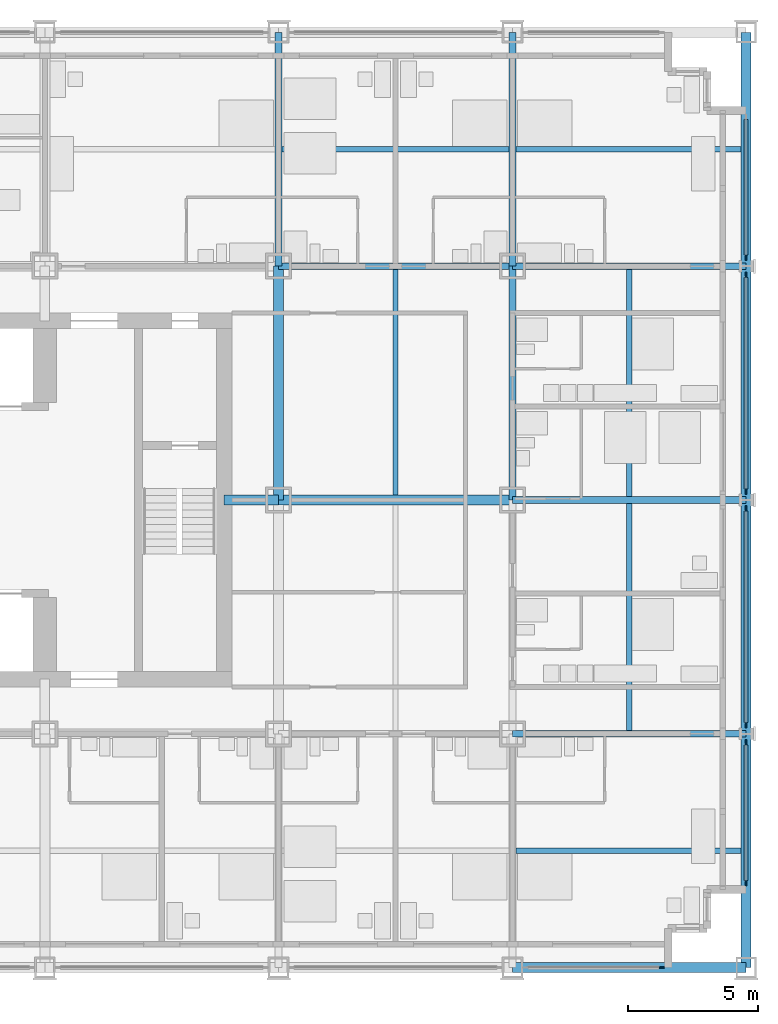
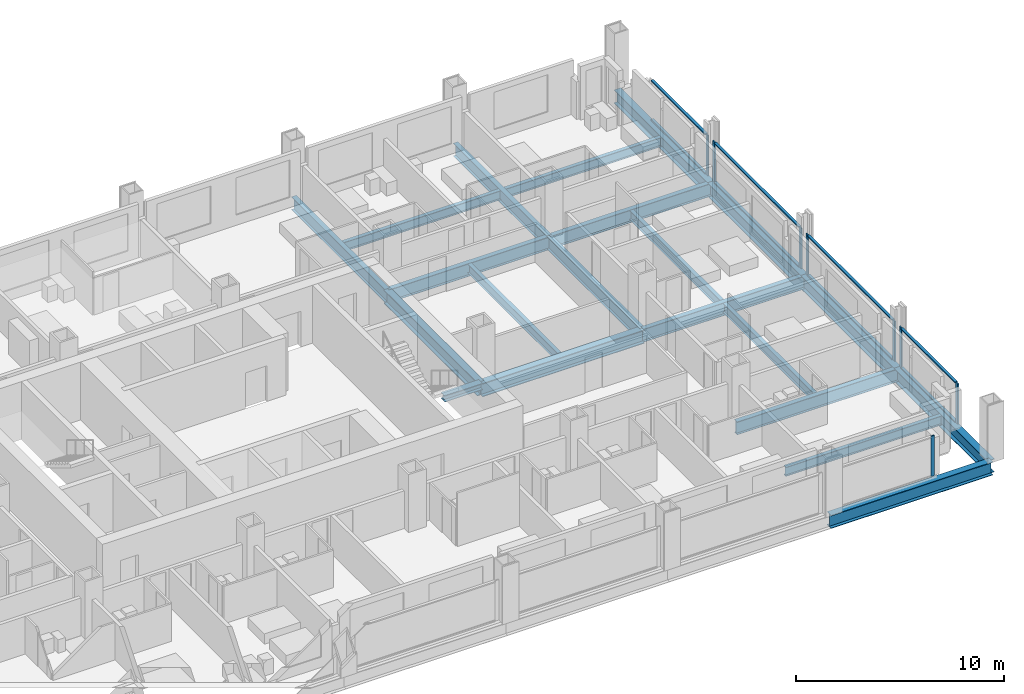
# One storey, part 6 of 19: 20 beams, 17 members, 5 elements without a shape of their own.
"""IFC4 building model written with IfcOpenShell, lengths in metres."""

from ifc_helpers import new_model, si_unit, direction, frame, origin, origin_2d, place, context, subcontext, project, spatial, rectangle, i_section, extrude, material, material_profile, profile_set, type_object, element, aggregate, save


model = new_model("IFC4")

# Units and contexts
model_context = context("Model", 3, precision=1e-05, world=origin(), true_north=direction((0.0, 1.0)))
body_context = subcontext(model_context, "Body", "Model", "MODEL_VIEW")
ifc_project = project(units=[si_unit("LENGTHUNIT", "METRE"), si_unit("AREAUNIT", "SQUARE_METRE"), si_unit("VOLUMEUNIT", "CUBIC_METRE"), si_unit("PLANEANGLEUNIT", "RADIAN"), si_unit("MASSUNIT", "GRAM", prefix="KILO")], contexts=[model_context])

# Site, building, storey
site_placement = place(None, origin())
site = spatial("IfcSite", under=ifc_project, at=site_placement, CompositionType="ELEMENT")
building_placement = place(site_placement, origin())
building = spatial("IfcBuilding", under=site, at=building_placement, Name="Loomwork Tower", CompositionType="ELEMENT")
storey_placement = place(building_placement, frame((0.0, 0.0, 85.800048828125)))
storey = spatial("IfcBuildingStorey", under=building, at=storey_placement, Name="L22", CompositionType="ELEMENT", Elevation=85.800048828125)

# Beams
ifc_material_1 = material(Name="Steel ASTM A992", Category="steel")
ifc_material_profile_1 = material_profile(ifc_material_1, i_section(OverallWidth=0.383544921875, OverallDepth=0.794921875, WebThickness=0.02099609375, FlangeThickness=0.0380859375, at=origin_2d()), Name="W30x235")
ifc_profile_set_1 = profile_set([ifc_material_profile_1], Name="Steel ASTM A992")
beam_type_1 = type_object("IfcBeamType", Name="CORE FLANK GIRDER W30x235", PredefinedType="BEAM", material=ifc_profile_set_1)
for number, where, z_axis, x_axis, name in (
    (1, (36.0, 18.0, -0.59765625), (1.0, 0.0, 0.0), (0.0, 1.0, 0.0), "Core Flank Girder F/6-F/7 L22"),
    (2, (36.0, 18.0, -0.59765625), (0.0, 1.0, 0.0), (-1.0, 0.0, 0.0), "Core Flank Girder F/6-G/6 L22"),
):
    element("IfcBeam", number, at=place(storey_placement, frame(where, z_axis=z_axis, x_axis=x_axis)), inside=storey, type_object=beam_type_1, Name=name, PredefinedType="BEAM", context=body_context, shape_type="SweptSolid", body=[
        extrude(i_section(OverallWidth=0.383544921875, OverallDepth=0.794921875, WebThickness=0.02099609375, FlangeThickness=0.0380859375, at=origin_2d()), origin(), (0.0, 0.0, 1.0), 9.0),
    ])

# Member
ifc_material_2 = material(Name="Steel ASTM A992", Category="steel")
ifc_material_profile_2 = material_profile(ifc_material_2, i_section(OverallWidth=0.373291015625, OverallDepth=0.373291015625, WebThickness=0.016357421875, FlangeThickness=0.026123046875, at=origin_2d()), Name="W14x132")
ifc_profile_set_2 = profile_set([ifc_material_profile_2], Name="Steel ASTM A992")
member_type_1 = type_object("IfcMemberType", Name="CORE LINK STRUT W14x132", PredefinedType="STRUT", material=ifc_profile_set_2)
member_1_placement = place(storey_placement, frame((36.0, 18.0, -0.38671875), z_axis=(-1.0, 0.0, 0.0), x_axis=(0.0, -1.0, 0.0)))
element("IfcMember", 3, at=member_1_placement, inside=storey, type_object=member_type_1, Name="Core link strut F/6-33.900,18.000 L22", PredefinedType="STRUT", context=body_context, shape_type="SweptSolid", body=[
    extrude(i_section(OverallWidth=0.373291015625, OverallDepth=0.373291015625, WebThickness=0.016357421875, FlangeThickness=0.026123046875, at=origin_2d()), origin(), (0.0, 0.0, 1.0), 2.10009765625),
])

# Beams
ifc_material_3 = material(Name="Steel ASTM A992", Category="steel")
ifc_material_profile_3 = material_profile(ifc_material_3, i_section(OverallWidth=0.2666015625, OverallDepth=0.761962890625, WebThickness=0.014404296875, FlangeThickness=0.021484375, at=origin_2d()), Name="W30x116")
ifc_profile_set_3 = profile_set([ifc_material_profile_3], Name="Steel ASTM A992")
beam_type_2 = type_object("IfcBeamType", Name="FLOOR GIRDER W30x116", PredefinedType="BEAM", material=ifc_profile_set_3)
for number, where, z_axis, x_axis, name in (
    (4, (45.0, 9.0, -0.5810546875), (1.0, 0.0, 0.0), (0.0, 1.0, 0.0), "Floor Girder E/7-E/8 L22"),
    (5, (45.0, 18.0, -0.5810546875), (1.0, 0.0, 0.0), (0.0, 1.0, 0.0), "Floor Girder F/7-F/8 L22"),
    (6, (36.0, 27.0, -0.5810546875), (1.0, 0.0, 0.0), (0.0, 1.0, 0.0), "Floor Girder G/6-G/7 L22"),
    (7, (45.0, 27.0, -0.5810546875), (1.0, 0.0, 0.0), (0.0, 1.0, 0.0), "Floor Girder G/7-G/8 L22"),
    (8, (36.0, 27.0, -0.5810546875), (0.0, 1.0, 0.0), (-1.0, 0.0, 0.0), "Floor Girder G/6-H/6 L22"),
    (9, (45.0, 18.0, -0.5810546875), (0.0, 1.0, 0.0), (-1.0, 0.0, 0.0), "Floor Girder F/7-G/7 L22"),
    (10, (45.0, 27.0, -0.5810546875), (0.0, 1.0, 0.0), (-1.0, 0.0, 0.0), "Floor Girder G/7-H/7 L22"),
):
    element("IfcBeam", number, at=place(storey_placement, frame(where, z_axis=z_axis, x_axis=x_axis)), inside=storey, type_object=beam_type_2, Name=name, PredefinedType="BEAM", context=body_context, shape_type="SweptSolid", body=[
        extrude(i_section(OverallWidth=0.2666015625, OverallDepth=0.761962890625, WebThickness=0.014404296875, FlangeThickness=0.021484375, at=origin_2d()), origin(), (0.0, 0.0, 1.0), 9.0),
    ])
ifc_material_4 = material(Name="Steel ASTM A992", Category="steel")
ifc_material_profile_4 = material_profile(ifc_material_4, i_section(OverallWidth=0.2109375, OverallDepth=0.53857421875, WebThickness=0.011474609375, FlangeThickness=0.018798828125, at=origin_2d()), Name="W21x73")
ifc_profile_set_4 = profile_set([ifc_material_profile_4], Name="Steel ASTM A992")
beam_type_3 = type_object("IfcBeamType", Name="FLOOR JOIST W21x73", PredefinedType="JOIST", material=ifc_profile_set_4)
beam_1_placement = place(storey_placement, frame((40.5, 18.19091796875, -0.46923828125), z_axis=(0.0, 1.0, 0.0), x_axis=(-1.0, 0.0, 0.0)))
element("IfcBeam", 11, at=beam_1_placement, inside=storey, type_object=beam_type_3, Name="Floor Joist 40.500,18.000-40.500,27.000 L22", PredefinedType="JOIST", context=body_context, shape_type="SweptSolid", body=[
    extrude(i_section(OverallWidth=0.2109375, OverallDepth=0.53857421875, WebThickness=0.011474609375, FlangeThickness=0.018798828125, at=origin_2d()), origin(), (0.0, 0.0, 1.0), 8.676025390625),
])
beam_2_placement = place(storey_placement, frame((36.133056640625, 31.5, -0.46923828125), z_axis=(1.0, 0.0, 0.0), x_axis=(0.0, 1.0, 0.0)))
element("IfcBeam", 12, at=beam_2_placement, inside=storey, type_object=beam_type_3, Name="Floor Joist 36.000,31.500-45.000,31.500 L22", PredefinedType="JOIST", context=body_context, shape_type="SweptSolid", body=[
    extrude(i_section(OverallWidth=0.2109375, OverallDepth=0.53857421875, WebThickness=0.011474609375, FlangeThickness=0.018798828125, at=origin_2d()), origin(), (0.0, 0.0, 1.0), 8.73388671875),
])
beam_3_placement = place(storey_placement, frame((45.133056640625, 4.5, -0.46923828125), z_axis=(1.0, 0.0, 0.0), x_axis=(0.0, 1.0, 0.0)))
element("IfcBeam", 13, at=beam_3_placement, inside=storey, type_object=beam_type_3, Name="Floor Joist 45.000,4.500-54.000,4.500 L22", PredefinedType="JOIST", context=body_context, shape_type="SweptSolid", body=[
    extrude(i_section(OverallWidth=0.2109375, OverallDepth=0.53857421875, WebThickness=0.011474609375, FlangeThickness=0.018798828125, at=origin_2d()), origin(), (0.0, 0.0, 1.0), 8.677001953125),
])
for number, where, z_axis, x_axis, name in (
    (14, (49.5, 9.133056640625, -0.46923828125), (0.0, 1.0, 0.0), (-1.0, 0.0, 0.0), "Floor Joist 49.500,9.000-49.500,18.000 L22"),
    (15, (49.5, 18.133056640625, -0.46923828125), (0.0, 1.0, 0.0), (-1.0, 0.0, 0.0), "Floor Joist 49.500,18.000-49.500,27.000 L22"),
):
    element("IfcBeam", number, at=place(storey_placement, frame(where, z_axis=z_axis, x_axis=x_axis)), inside=storey, type_object=beam_type_3, Name=name, PredefinedType="JOIST", context=body_context, shape_type="SweptSolid", body=[
        extrude(i_section(OverallWidth=0.2109375, OverallDepth=0.53857421875, WebThickness=0.011474609375, FlangeThickness=0.018798828125, at=origin_2d()), origin(), (0.0, 0.0, 1.0), 8.73388671875),
    ])
beam_4_placement = place(storey_placement, frame((45.133056640625, 31.5, -0.46923828125), z_axis=(1.0, 0.0, 0.0), x_axis=(0.0, 1.0, 0.0)))
element("IfcBeam", 16, at=beam_4_placement, inside=storey, type_object=beam_type_3, Name="Floor Joist 45.000,31.500-54.000,31.500 L22", PredefinedType="JOIST", context=body_context, shape_type="SweptSolid", body=[
    extrude(i_section(OverallWidth=0.2109375, OverallDepth=0.53857421875, WebThickness=0.011474609375, FlangeThickness=0.018798828125, at=origin_2d()), origin(), (0.0, 0.0, 1.0), 8.677001953125),
])

# Curtain wall, member
ifc_material_5 = material(Name="Aluminium curtain wall frame", Category="aluminium")
curtain_wall_type = type_object("IfcCurtainWallType", Name="Outer skin glazing hotel", PredefinedType="NOTDEFINED", material=ifc_material_5)
curtain_wall_1_placement = place(storey_placement, origin())
curtain_wall_1 = element("IfcCurtainWall", 17, at=curtain_wall_1_placement, inside=storey, type_object=curtain_wall_type, Name="Outer skin glazing hotel cw/S-45", PredefinedType="NOTDEFINED")
ifc_material_6 = material(Name="Aluminium curtain wall frame", Category="aluminium")
ifc_material_profile_5 = material_profile(ifc_material_6, rectangle(XDim=0.06494140625, YDim=0.199951171875, at=origin_2d()), Name="AL 65x200")
ifc_profile_set_5 = profile_set([ifc_material_profile_5], Name="Aluminium curtain wall frame")
member_type_2 = type_object("IfcMemberType", Name="Outer skin glazing hotel mullion", PredefinedType="MULLION", material=ifc_profile_set_5)
member_2_placement = place(storey_placement, frame((50.75, 0.0, 0.0), z_axis=(0.0, 0.0, 1.0), x_axis=(0.0, 1.0, 0.0)))
member_2 = element("IfcMember", 18, at=member_2_placement, type_object=member_type_2, Name="CW1 mullion 2", PredefinedType="MULLION", context=body_context, shape_type="SweptSolid", body=[
    extrude(rectangle(XDim=0.06494140625, YDim=0.199951171875, at=origin_2d()), origin(), (0.0, 0.0, 1.0), 2.3701171875),
])
aggregate(curtain_wall_1, [member_2])

# Curtain wall, members
curtain_wall_2_placement = place(storey_placement, origin())
curtain_wall_2 = element("IfcCurtainWall", 19, at=curtain_wall_2_placement, inside=storey, type_object=curtain_wall_type, Name="Outer skin glazing hotel cw/E-0", PredefinedType="NOTDEFINED")
member_3_placement = place(storey_placement, frame((54.0, 3.25, 0.0), z_axis=(0.0, 0.0, 1.0), x_axis=(-1.0, 0.0, 0.0)))
member_3 = element("IfcMember", 20, at=member_3_placement, type_object=member_type_2, Name="CW1 mullion 1", PredefinedType="MULLION", context=body_context, shape_type="SweptSolid", body=[
    extrude(rectangle(XDim=0.06494140625, YDim=0.199951171875, at=origin_2d()), origin(), (0.0, 0.0, 1.0), 2.3701171875),
])
member_4_placement = place(storey_placement, frame((54.0, 8.672607421875, 0.0), z_axis=(0.0, 0.0, 1.0), x_axis=(-1.0, 0.0, 0.0)))
member_4 = element("IfcMember", 21, at=member_4_placement, type_object=member_type_2, Name="CW1 mullion 2", PredefinedType="MULLION", context=body_context, shape_type="SweptSolid", body=[
    extrude(rectangle(XDim=0.06494140625, YDim=0.199951171875, at=origin_2d()), origin(), (0.0, 0.0, 1.0), 2.3701171875),
])

curtain_wall_3_placement = place(storey_placement, origin())
curtain_wall_3 = element("IfcCurtainWall", 22, at=curtain_wall_3_placement, inside=storey, type_object=curtain_wall_type, Name="Outer skin glazing hotel cw/E-9", PredefinedType="NOTDEFINED")
member_5_placement = place(storey_placement, frame((54.0, 9.327392578125, 0.0), z_axis=(0.0, 0.0, 1.0), x_axis=(-1.0, 0.0, 0.0)))
member_5 = element("IfcMember", 23, at=member_5_placement, type_object=member_type_2, Name="CW1 mullion 1", PredefinedType="MULLION", context=body_context, shape_type="SweptSolid", body=[
    extrude(rectangle(XDim=0.06494140625, YDim=0.199951171875, at=origin_2d()), origin(), (0.0, 0.0, 1.0), 2.3701171875),
])
member_6_placement = place(storey_placement, frame((54.0, 17.672607421875, 0.0), z_axis=(0.0, 0.0, 1.0), x_axis=(-1.0, 0.0, 0.0)))
member_6 = element("IfcMember", 24, at=member_6_placement, type_object=member_type_2, Name="CW1 mullion 2", PredefinedType="MULLION", context=body_context, shape_type="SweptSolid", body=[
    extrude(rectangle(XDim=0.06494140625, YDim=0.199951171875, at=origin_2d()), origin(), (0.0, 0.0, 1.0), 2.3701171875),
])

curtain_wall_4_placement = place(storey_placement, origin())
curtain_wall_4 = element("IfcCurtainWall", 25, at=curtain_wall_4_placement, inside=storey, type_object=curtain_wall_type, Name="Outer skin glazing hotel cw/E-18", PredefinedType="NOTDEFINED")
member_7_placement = place(storey_placement, frame((54.0, 18.327392578125, 0.0), z_axis=(0.0, 0.0, 1.0), x_axis=(-1.0, 0.0, 0.0)))
member_7 = element("IfcMember", 26, at=member_7_placement, type_object=member_type_2, Name="CW1 mullion 1", PredefinedType="MULLION", context=body_context, shape_type="SweptSolid", body=[
    extrude(rectangle(XDim=0.06494140625, YDim=0.199951171875, at=origin_2d()), origin(), (0.0, 0.0, 1.0), 2.3701171875),
])
member_8_placement = place(storey_placement, frame((54.0, 26.672607421875, 0.0), z_axis=(0.0, 0.0, 1.0), x_axis=(-1.0, 0.0, 0.0)))
member_8 = element("IfcMember", 27, at=member_8_placement, type_object=member_type_2, Name="CW1 mullion 2", PredefinedType="MULLION", context=body_context, shape_type="SweptSolid", body=[
    extrude(rectangle(XDim=0.06494140625, YDim=0.199951171875, at=origin_2d()), origin(), (0.0, 0.0, 1.0), 2.3701171875),
])

# Curtain wall, member
curtain_wall_5_placement = place(storey_placement, origin())
curtain_wall_5 = element("IfcCurtainWall", 28, at=curtain_wall_5_placement, inside=storey, type_object=curtain_wall_type, Name="Outer skin glazing hotel cw/E-27", PredefinedType="NOTDEFINED")
member_9_placement = place(storey_placement, frame((54.0, 27.327392578125, 0.0), z_axis=(0.0, 0.0, 1.0), x_axis=(-1.0, 0.0, 0.0)))
member_9 = element("IfcMember", 29, at=member_9_placement, type_object=member_type_2, Name="CW1 mullion 1", PredefinedType="MULLION", context=body_context, shape_type="SweptSolid", body=[
    extrude(rectangle(XDim=0.06494140625, YDim=0.199951171875, at=origin_2d()), origin(), (0.0, 0.0, 1.0), 2.3701171875),
])

# Member
ifc_material_7 = material(Name="Aluminium curtain wall frame", Category="aluminium")
ifc_material_profile_6 = material_profile(ifc_material_7, rectangle(XDim=0.14990234375, YDim=0.06494140625, at=origin_2d()), Name="AL 65x150")
ifc_profile_set_6 = profile_set([ifc_material_profile_6], Name="Aluminium curtain wall frame")
member_type_3 = type_object("IfcMemberType", Name="Outer skin glazing hotel transom", PredefinedType="USERDEFINED", material=ifc_profile_set_6)
member_10_placement = place(storey_placement, frame((54.0, 3.35009765625, 0.032470703125), z_axis=(0.0, 1.0, 0.0), x_axis=(-1.0, 0.0, 0.0)))
member_10 = element("IfcMember", 30, at=member_10_placement, type_object=member_type_3, Name="CW1 transom 1.1", ObjectType="TRANSOM", PredefinedType="USERDEFINED", context=body_context, shape_type="SweptSolid", body=[
    extrude(rectangle(XDim=0.14990234375, YDim=0.06494140625, at=origin_2d()), origin(), (0.0, 0.0, 1.0), 5.22265625),
])

member_11_placement = place(storey_placement, frame((54.0, 3.35009765625, 2.337646484375), z_axis=(0.0, 1.0, 0.0), x_axis=(-1.0, 0.0, 0.0)))
member_11 = element("IfcMember", 31, at=member_11_placement, type_object=member_type_3, Name="CW1 transom 1.2", ObjectType="TRANSOM", PredefinedType="USERDEFINED", context=body_context, shape_type="SweptSolid", body=[
    extrude(rectangle(XDim=0.14990234375, YDim=0.06494140625, at=origin_2d()), origin(), (0.0, 0.0, 1.0), 5.22265625),
])

aggregate(curtain_wall_2, [member_3, member_4, member_10, member_11])

member_12_placement = place(storey_placement, frame((54.0, 9.42724609375, 0.032470703125), z_axis=(0.0, 1.0, 0.0), x_axis=(-1.0, 0.0, 0.0)))
member_12 = element("IfcMember", 32, at=member_12_placement, type_object=member_type_3, Name="CW1 transom 1.1", ObjectType="TRANSOM", PredefinedType="USERDEFINED", context=body_context, shape_type="SweptSolid", body=[
    extrude(rectangle(XDim=0.14990234375, YDim=0.06494140625, at=origin_2d()), origin(), (0.0, 0.0, 1.0), 8.1455078125),
])

member_13_placement = place(storey_placement, frame((54.0, 9.42724609375, 2.337646484375), z_axis=(0.0, 1.0, 0.0), x_axis=(-1.0, 0.0, 0.0)))
member_13 = element("IfcMember", 33, at=member_13_placement, type_object=member_type_3, Name="CW1 transom 1.2", ObjectType="TRANSOM", PredefinedType="USERDEFINED", context=body_context, shape_type="SweptSolid", body=[
    extrude(rectangle(XDim=0.14990234375, YDim=0.06494140625, at=origin_2d()), origin(), (0.0, 0.0, 1.0), 8.1455078125),
])

aggregate(curtain_wall_3, [member_5, member_6, member_12, member_13])

member_14_placement = place(storey_placement, frame((54.0, 18.42724609375, 0.032470703125), z_axis=(0.0, 1.0, 0.0), x_axis=(-1.0, 0.0, 0.0)))
member_14 = element("IfcMember", 34, at=member_14_placement, type_object=member_type_3, Name="CW1 transom 1.1", ObjectType="TRANSOM", PredefinedType="USERDEFINED", context=body_context, shape_type="SweptSolid", body=[
    extrude(rectangle(XDim=0.14990234375, YDim=0.06494140625, at=origin_2d()), origin(), (0.0, 0.0, 1.0), 8.1455078125),
])

member_15_placement = place(storey_placement, frame((54.0, 18.42724609375, 2.337646484375), z_axis=(0.0, 1.0, 0.0), x_axis=(-1.0, 0.0, 0.0)))
member_15 = element("IfcMember", 35, at=member_15_placement, type_object=member_type_3, Name="CW1 transom 1.2", ObjectType="TRANSOM", PredefinedType="USERDEFINED", context=body_context, shape_type="SweptSolid", body=[
    extrude(rectangle(XDim=0.14990234375, YDim=0.06494140625, at=origin_2d()), origin(), (0.0, 0.0, 1.0), 8.1455078125),
])

aggregate(curtain_wall_4, [member_7, member_8, member_14, member_15])

member_16_placement = place(storey_placement, frame((54.0, 27.42724609375, 0.032470703125), z_axis=(0.0, 1.0, 0.0), x_axis=(-1.0, 0.0, 0.0)))
member_16 = element("IfcMember", 36, at=member_16_placement, type_object=member_type_3, Name="CW1 transom 1.1", ObjectType="TRANSOM", PredefinedType="USERDEFINED", context=body_context, shape_type="SweptSolid", body=[
    extrude(rectangle(XDim=0.14990234375, YDim=0.06494140625, at=origin_2d()), origin(), (0.0, 0.0, 1.0), 5.22265625),
])

member_17_placement = place(storey_placement, frame((54.0, 27.42724609375, 2.337646484375), z_axis=(0.0, 1.0, 0.0), x_axis=(-1.0, 0.0, 0.0)))
member_17 = element("IfcMember", 37, at=member_17_placement, type_object=member_type_3, Name="CW1 transom 1.2", ObjectType="TRANSOM", PredefinedType="USERDEFINED", context=body_context, shape_type="SweptSolid", body=[
    extrude(rectangle(XDim=0.14990234375, YDim=0.06494140625, at=origin_2d()), origin(), (0.0, 0.0, 1.0), 5.22265625),
])

aggregate(curtain_wall_5, [member_9, member_16, member_17])

# Beams
ifc_material_8 = material(Name="Steel ASTM A992", Category="steel")
ifc_material_profile_7 = material_profile(ifc_material_8, i_section(OverallWidth=0.381103515625, OverallDepth=0.77978515625, WebThickness=0.01806640625, FlangeThickness=0.0302734375, at=origin_2d()), Name="W30x191")
ifc_profile_set_7 = profile_set([ifc_material_profile_7], Name="Steel ASTM A992")
beam_type_4 = type_object("IfcBeamType", Name="SPANDREL GIRDER W30x191", PredefinedType="SPANDREL", material=ifc_profile_set_7)
for number, where, z_axis, x_axis, name in (
    (38, (45.0, 0.0, -0.58984375), (1.0, 0.0, 0.0), (0.0, 1.0, 0.0), "Spandrel Girder D/7-D/8 L22"),
    (39, (54.0, 0.0, -0.58984375), (0.0, 1.0, 0.0), (-1.0, 0.0, 0.0), "Spandrel Girder D/8-E/8 L22"),
    (40, (54.0, 9.0, -0.58984375), (0.0, 1.0, 0.0), (-1.0, 0.0, 0.0), "Spandrel Girder E/8-F/8 L22"),
    (41, (54.0, 18.0, -0.58984375), (0.0, 1.0, 0.0), (-1.0, 0.0, 0.0), "Spandrel Girder F/8-G/8 L22"),
    (42, (54.0, 27.0, -0.58984375), (0.0, 1.0, 0.0), (-1.0, 0.0, 0.0), "Spandrel Girder G/8-H/8 L22"),
):
    element("IfcBeam", number, at=place(storey_placement, frame(where, z_axis=z_axis, x_axis=x_axis)), inside=storey, type_object=beam_type_4, Name=name, PredefinedType="SPANDREL", context=body_context, shape_type="SweptSolid", body=[
        extrude(i_section(OverallWidth=0.381103515625, OverallDepth=0.77978515625, WebThickness=0.01806640625, FlangeThickness=0.0302734375, at=origin_2d()), origin(), (0.0, 0.0, 1.0), 9.0),
    ])

save(model, "model.ifc")
